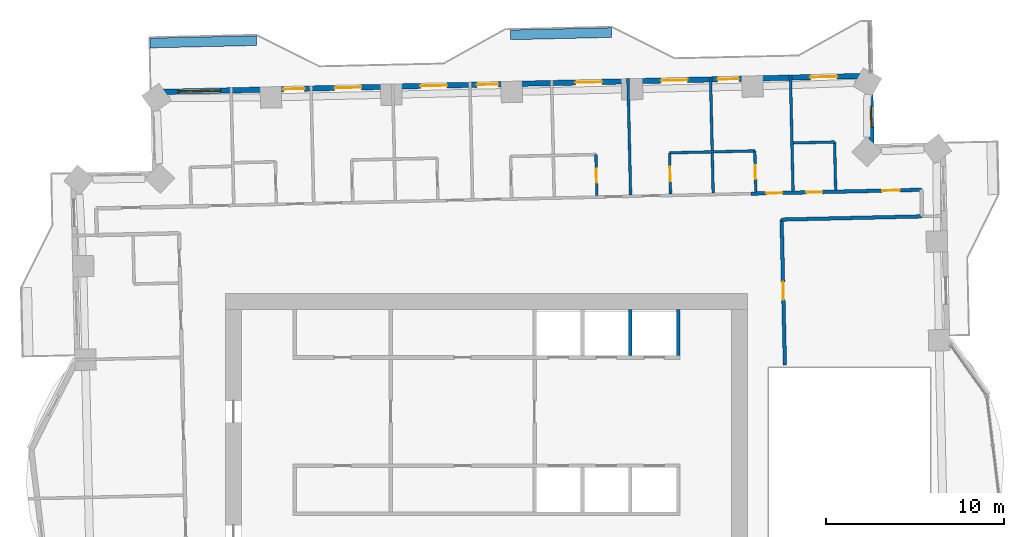
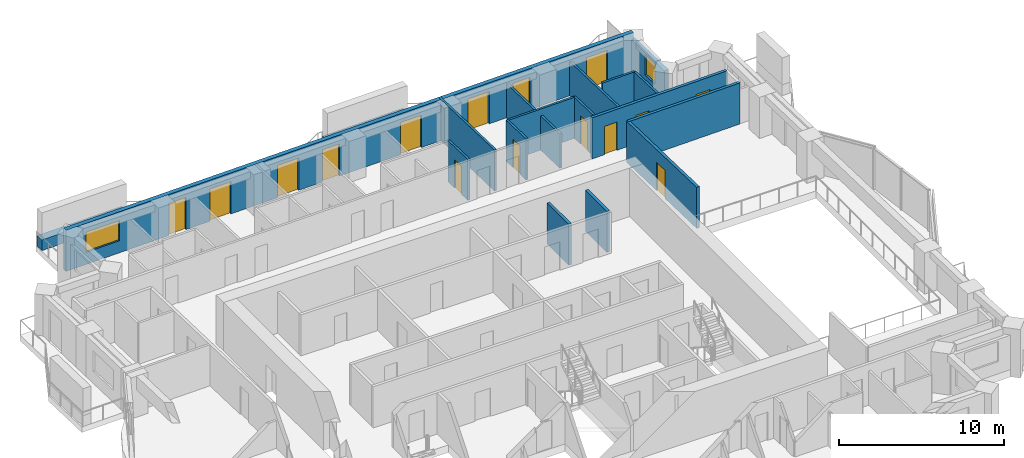
# One storey, part 9 of 14: 18 walls, 15 doors, 2 windows, 17 openings.
"""IFC4 building model written with IfcOpenShell, lengths in metres."""

from ifc_helpers import new_model, si_unit, direction, frame, frame_2d, origin, place, context, subcontext, project, spatial, rectangle, extrude, material, layer, layer_set, type_object, element, fill, save


model = new_model("IFC4")

# Units and contexts
model_context = context("Model", 3, precision=1e-05, world=origin(), true_north=direction((0.0, 1.0)))
body_context = subcontext(model_context, "Body", "Model", "MODEL_VIEW")
ifc_project = project(units=[si_unit("LENGTHUNIT", "METRE"), si_unit("AREAUNIT", "SQUARE_METRE"), si_unit("VOLUMEUNIT", "CUBIC_METRE"), si_unit("PLANEANGLEUNIT", "RADIAN"), si_unit("MASSUNIT", "GRAM", prefix="KILO")], contexts=[model_context])

# Site, building, storey
site_placement = place(None, origin())
site = spatial("IfcSite", under=ifc_project, at=site_placement, CompositionType="ELEMENT")
building_placement = place(site_placement, origin())
building = spatial("IfcBuilding", under=site, at=building_placement, Name="Mangrove Gate Tower", CompositionType="ELEMENT")
storey_placement = place(building_placement, frame((0.0, 0.0, 182.5)))
storey = spatial("IfcBuildingStorey", under=building, at=storey_placement, Name="L46", CompositionType="ELEMENT", Elevation=182.5)

# Walls
ifc_material_1 = material(Name="Concrete C60/75", Category="concrete")
ifc_layer_1 = layer(ifc_material_1, 0.199951171875)
ifc_layer_set_1 = layer_set([ifc_layer_1], Name="Core shaft wall 200 C60/75")
wall_type_1 = type_object("IfcWallType", Name="Core shaft wall 200 C60/75", PredefinedType="SHEAR", material=ifc_layer_set_1)
for number, where, z_axis, x_axis, name in (
    (1, (8.10009765625, 8.199951171875, 0.0), (0.0, 0.0, 1.0), (0.0, 1.0, 0.0), "WALL-L46-CORE-29"),
    (2, (10.800048828125, 8.199951171875, 0.0), (0.0, 0.0, 1.0), (0.0, 1.0, 0.0), "WALL-L46-CORE-30"),
):
    element("IfcWall", number, at=place(storey_placement, frame(where, z_axis=z_axis, x_axis=x_axis)), inside=storey, type_object=wall_type_1, Name=name, PredefinedType="SHEAR", context=body_context, shape_type="SweptSolid", body=[
        extrude(rectangle(XDim=2.60009765625, YDim=0.199951171875, at=frame_2d((1.300048828125, 0.0))), origin(), (0.0, 0.0, 1.0), 3.050048828125),
    ])

# Wall, opening, door
ifc_material_2 = material(Name="Gypsum board on steel stud, EI 60", Category="steel")
ifc_layer_2 = layer(ifc_material_2, 0.199951171875)
ifc_layer_set_2 = layer_set([ifc_layer_2], Name="Corridor wall EI 60")
wall_type_2 = type_object("IfcWallType", Name="Corridor wall EI 60", PredefinedType="PARTITIONING", material=ifc_layer_set_2)
wall_1_placement = place(storey_placement, frame((16.797119140625, 7.674072265625, 0.0), z_axis=(0.0, 0.0, 1.0), x_axis=(-0.022698399288, 0.999742358145, 0.0)))
wall_1 = element("IfcWall", 3, at=wall_1_placement, inside=storey, type_object=wall_type_2, Name="WALL-L46-038", PredefinedType="PARTITIONING", context=body_context, shape_type="SweptSolid", body=[
    extrude(rectangle(XDim=8.196044921875, YDim=0.199951171875, at=frame_2d((4.09814453125, 0.0))), origin(), (0.0, 0.0, 1.0), 3.050048828125),
])
opening_1_placement = place(wall_1_placement, frame((3.68310546875, 0.0, 0.0)))
opening_1 = element("IfcOpeningElement", 4, at=opening_1_placement, cuts=wall_1, Name="Opening AD", PredefinedType="OPENING", context=body_context, shape_type="SweptSolid", body=[
    extrude(rectangle(XDim=1.0, YDim=2.10009765625, at=frame_2d((0.5, 1.050048828125))), frame((0.0, 0.10986328125, 0.0), z_axis=(0.0, -1.0, 0.0), x_axis=(1.0, 0.0, 0.0)), (0.0, 0.0, 1.0), 0.219970703125),
])
ifc_material_3 = material(Name="Timber door leaf", Category="wood")
door_type_1 = type_object("IfcDoorType", Name="Amenity door 1000", OperationType="SINGLE_SWING_LEFT", PredefinedType="DOOR", material=ifc_material_3)
door_1_placement = place(opening_1_placement, origin())
door_1 = element("IfcDoor", 5, at=door_1_placement, inside=storey, type_object=door_type_1, Name="DOOR-L46-GAM-c3a", OperationType="SINGLE_SWING_RIGHT", OverallHeight=2.10009765625, OverallWidth=1.0, PredefinedType="DOOR", context=body_context, shape_type="SweptSolid", body=[
    extrude(rectangle(XDim=1.0, YDim=2.10009765625, at=frame_2d((0.5, 1.050048828125))), frame((0.0, 0.02490234375, 0.0), z_axis=(0.0, -1.0, 0.0), x_axis=(1.0, 0.0, 0.0)), (0.0, 0.0, 1.0), 0.050048828125),
])
fill(opening_1, door_1)

# Wall
wall_2_placement = place(storey_placement, frame((16.612060546875, 15.864013671875, 0.0), z_axis=(0.0, 0.0, 1.0), x_axis=(0.999741181744, 0.022750154412, 0.0)))
element("IfcWall", 6, at=wall_2_placement, inside=storey, type_object=wall_type_2, Name="WALL-L46-044", PredefinedType="PARTITIONING", context=body_context, shape_type="SweptSolid", body=[
    extrude(rectangle(XDim=7.908935546875, YDim=0.199951171875, at=frame_2d((3.95458984375, 0.0))), origin(), (0.0, 0.0, 1.0), 3.050048828125),
])

# Wall, openings, doors
wall_3_placement = place(storey_placement, frame((14.8798828125, 17.324951171875, 0.0), z_axis=(0.0, 0.0, 1.0), x_axis=(0.999742504166, 0.022691966963, 0.0)))
wall_3 = element("IfcWall", 7, at=wall_3_placement, inside=storey, type_object=wall_type_2, Name="WALL-L46-050", PredefinedType="PARTITIONING", context=body_context, shape_type="SweptSolid", body=[
    extrude(rectangle(XDim=9.607666015625, YDim=0.199951171875, at=frame_2d((4.8037109375, 0.0))), origin(), (0.0, 0.0, 1.0), 3.050048828125),
])
opening_2_placement = place(wall_3_placement, frame((7.39306640625, 0.0, 0.0)))
opening_2 = element("IfcOpeningElement", 8, at=opening_2_placement, cuts=wall_3, Name="Opening AD", PredefinedType="OPENING", context=body_context, shape_type="SweptSolid", body=[
    extrude(rectangle(XDim=1.0, YDim=2.10009765625, at=frame_2d((0.5, 1.050048828125))), frame((0.0, 0.10986328125, 0.0), z_axis=(0.0, -1.0, 0.0), x_axis=(1.0, 0.0, 0.0)), (0.0, 0.0, 1.0), 0.219970703125),
])
opening_3_placement = place(wall_3_placement, frame((3.1279296875, 0.0, 0.0)))
opening_3 = element("IfcOpeningElement", 9, at=opening_3_placement, cuts=wall_3, Name="Opening SD", PredefinedType="OPENING", context=body_context, shape_type="SweptSolid", body=[
    extrude(rectangle(XDim=0.89990234375, YDim=2.10009765625, at=frame_2d((0.449951171875, 1.050048828125))), frame((0.0, 0.10986328125, 0.0), z_axis=(0.0, -1.0, 0.0), x_axis=(1.0, 0.0, 0.0)), (0.0, 0.0, 1.0), 0.219970703125),
])
opening_4_placement = place(wall_3_placement, frame((0.8779296875, 0.0, 0.0)))
opening_4 = element("IfcOpeningElement", 10, at=opening_4_placement, cuts=wall_3, Name="Opening BD", PredefinedType="OPENING", context=body_context, shape_type="SweptSolid", body=[
    extrude(rectangle(XDim=0.89990234375, YDim=2.10009765625, at=frame_2d((0.449951171875, 1.050048828125))), frame((0.0, 0.10986328125, 0.0), z_axis=(0.0, -1.0, 0.0), x_axis=(1.0, 0.0, 0.0)), (0.0, 0.0, 1.0), 0.219970703125),
])
door_2_placement = place(opening_2_placement, origin())
door_2 = element("IfcDoor", 11, at=door_2_placement, inside=storey, type_object=door_type_1, Name="DOOR-L46-GAM-c3b", OperationType="SINGLE_SWING_LEFT", OverallHeight=2.10009765625, OverallWidth=1.0, PredefinedType="DOOR", context=body_context, shape_type="SweptSolid", body=[
    extrude(rectangle(XDim=1.0, YDim=2.10009765625, at=frame_2d((0.5, 1.050048828125))), frame((0.0, 0.02490234375, 0.0), z_axis=(0.0, -1.0, 0.0), x_axis=(1.0, 0.0, 0.0)), (0.0, 0.0, 1.0), 0.050048828125),
])
fill(opening_2, door_2)
ifc_material_4 = material(Name="Timber door leaf", Category="wood")
door_type_2 = type_object("IfcDoorType", Name="Bedroom door 900", OperationType="SINGLE_SWING_LEFT", PredefinedType="DOOR", material=ifc_material_4)
door_3_placement = place(opening_4_placement, origin())
door_3 = element("IfcDoor", 12, at=door_3_placement, inside=storey, type_object=door_type_2, Name="DOOR-L46-BED-c308", OperationType="SINGLE_SWING_RIGHT", OverallHeight=2.10009765625, OverallWidth=0.89990234375, PredefinedType="DOOR", context=body_context, shape_type="SweptSolid", body=[
    extrude(rectangle(XDim=0.89990234375, YDim=2.10009765625, at=frame_2d((0.449951171875, 1.050048828125))), frame((0.0, 0.02490234375, 0.0), z_axis=(0.0, -1.0, 0.0), x_axis=(1.0, 0.0, 0.0)), (0.0, 0.0, 1.0), 0.050048828125),
])
fill(opening_4, door_3)
ifc_material_5 = material(Name="Timber door leaf", Category="wood")
door_type_3 = type_object("IfcDoorType", Name="Service room door 900", OperationType="SINGLE_SWING_LEFT", PredefinedType="DOOR", material=ifc_material_5)
door_4_placement = place(opening_3_placement, origin())
door_4 = element("IfcDoor", 13, at=door_4_placement, inside=storey, type_object=door_type_3, Name="DOOR-L46-WC-c3a", OperationType="SINGLE_SWING_LEFT", OverallHeight=2.10009765625, OverallWidth=0.89990234375, PredefinedType="DOOR", context=body_context, shape_type="SweptSolid", body=[
    extrude(rectangle(XDim=0.89990234375, YDim=2.10009765625, at=frame_2d((0.449951171875, 1.050048828125))), frame((0.0, 0.02490234375, 0.0), z_axis=(0.0, -1.0, 0.0), x_axis=(1.0, 0.0, 0.0)), (0.0, 0.0, 1.0), 0.050048828125),
])
fill(opening_3, door_4)

# Wall, opening, window
ifc_material_6 = material(Name="Limestone", Category="masonry")
ifc_layer_3 = layer(ifc_material_6, 0.0400390625, Name="Limestone cladding")
ifc_material_7 = material(Name="Ventilated air gap")
ifc_layer_4 = layer(ifc_material_7, 0.0400390625, Name="Ventilated cavity")
ifc_material_8 = material(Name="Mineral wool insulation")
ifc_layer_5 = layer(ifc_material_8, 0.06005859375, Name="Insulation")
ifc_material_9 = material(Name="Breather membrane")
ifc_layer_6 = layer(ifc_material_9, 0.001953125, Name="Breather membrane")
ifc_material_10 = material(Name="Concrete C20/25 blockwork", Category="masonry")
ifc_layer_7 = layer(ifc_material_10, 0.14990234375, Name="Blockwork backing wall")
ifc_material_11 = material(Name="Gypsum plaster")
ifc_layer_8 = layer(ifc_material_11, 0.008056640625, Name="Internal plaster")
ifc_layer_set_3 = layer_set([ifc_layer_3, ifc_layer_4, ifc_layer_5, ifc_layer_6, ifc_layer_7, ifc_layer_8], Name="External wall 300 limestone cladding")
wall_type_3 = type_object("IfcWallType", Name="External wall 300 limestone cladding", PredefinedType="SOLIDWALL", material=ifc_layer_set_3)
wall_4_placement = place(storey_placement, frame((21.679931640625, 19.9599609375, 0.0), z_axis=(0.0, 0.0, 1.0), x_axis=(-0.022704768219, 0.999742213523, 0.0)))
wall_4 = element("IfcWall", 14, at=wall_4_placement, inside=storey, type_object=wall_type_3, Name="WALL-L46-E4", PredefinedType="SOLIDWALL", context=body_context, shape_type="SweptSolid", body=[
    extrude(rectangle(XDim=4.0, YDim=0.300048828125, at=frame_2d((2.0, 0.0))), origin(), (0.0, 0.0, 1.0), 2.550048828125),
])
opening_5_placement = place(wall_4_placement, frame((1.093017578125, 0.0, 0.89990234375)))
opening_5 = element("IfcOpeningElement", 15, at=opening_5_placement, cuts=wall_4, Name="Opening W1", PredefinedType="OPENING", context=body_context, shape_type="SweptSolid", body=[
    extrude(rectangle(XDim=1.199951171875, YDim=1.5, at=frame_2d((0.60009765625, 0.75))), frame((0.0, 0.159912109375, 0.0), z_axis=(0.0, -1.0, 0.0), x_axis=(1.0, 0.0, 0.0)), (0.0, 0.0, 1.0), 0.320068359375),
])
ifc_material_12 = material(Name="Aluminium frame with double-glazed low-e glass", Category="aluminium")
window_type_1 = type_object("IfcWindowType", Name="Side lite 1200x1500", PartitioningType="SINGLE_PANEL", PredefinedType="WINDOW", material=ifc_material_12)
window_1_placement = place(opening_5_placement, origin())
window_1 = element("IfcWindow", 16, at=window_1_placement, inside=storey, type_object=window_type_1, Name="WIN-L46-E4-1", OverallHeight=1.5, OverallWidth=1.199951171875, PartitioningType="SINGLE_PANEL", PredefinedType="WINDOW", context=body_context, shape_type="SweptSolid", body=[
    extrude(rectangle(XDim=1.199951171875, YDim=1.5, at=frame_2d((0.60009765625, 0.75))), frame((0.0, 0.030029296875, 0.0), z_axis=(0.0, -1.0, 0.0), x_axis=(1.0, 0.0, 0.0)), (0.0, 0.0, 1.0), 0.06005859375),
])
fill(opening_5, window_1)

# Wall, openings, doors, window
wall_5_placement = place(storey_placement, frame((21.589111328125, 23.958984375, 0.0), z_axis=(0.0, 0.0, 1.0), x_axis=(-0.999742671382, -0.022684598702, 0.0)))
wall_5 = element("IfcWall", 17, at=wall_5_placement, inside=storey, type_object=wall_type_3, Name="WALL-L46-N5", PredefinedType="SOLIDWALL", context=body_context, shape_type="SweptSolid", body=[
    extrude(rectangle(XDim=40.380615234375, YDim=0.300048828125, at=frame_2d((20.1904296875, 0.0))), origin(), (0.0, 0.0, 1.0), 3.050048828125),
])
opening_6_placement = place(wall_5_placement, frame((1.85302734375, 0.0, 0.0)))
opening_6 = element("IfcOpeningElement", 18, at=opening_6_placement, cuts=wall_5, Name="Opening BD1", PredefinedType="OPENING", context=body_context, shape_type="SweptSolid", body=[
    extrude(rectangle(XDim=1.5, YDim=2.39990234375, at=frame_2d((0.75, 1.199951171875))), frame((0.0, 0.159912109375, 0.0), z_axis=(0.0, -1.0, 0.0), x_axis=(1.0, 0.0, 0.0)), (0.0, 0.0, 1.0), 0.320068359375),
])
opening_7_placement = place(wall_5_placement, frame((7.3798828125, 0.0, 0.0)))
opening_7 = element("IfcOpeningElement", 19, at=opening_7_placement, cuts=wall_5, Name="Opening BD2", PredefinedType="OPENING", context=body_context, shape_type="SweptSolid", body=[
    extrude(rectangle(XDim=1.199951171875, YDim=2.39990234375, at=frame_2d((0.60009765625, 1.199951171875))), frame((0.0, 0.159912109375, 0.0), z_axis=(0.0, -1.0, 0.0), x_axis=(1.0, 0.0, 0.0)), (0.0, 0.0, 1.0), 0.320068359375),
])
opening_8_placement = place(wall_5_placement, frame((10.27001953125, 0.0, 0.0)))
opening_8 = element("IfcOpeningElement", 20, at=opening_8_placement, cuts=wall_5, Name="Opening BD1", PredefinedType="OPENING", context=body_context, shape_type="SweptSolid", body=[
    extrude(rectangle(XDim=1.5, YDim=2.39990234375, at=frame_2d((0.75, 1.199951171875))), frame((0.0, 0.159912109375, 0.0), z_axis=(0.0, -1.0, 0.0), x_axis=(1.0, 0.0, 0.0)), (0.0, 0.0, 1.0), 0.320068359375),
])
opening_9_placement = place(wall_5_placement, frame((15.094970703125, 0.0, 0.0)))
opening_9 = element("IfcOpeningElement", 21, at=opening_9_placement, cuts=wall_5, Name="Opening BD1", PredefinedType="OPENING", context=body_context, shape_type="SweptSolid", body=[
    extrude(rectangle(XDim=1.5, YDim=2.39990234375, at=frame_2d((0.75, 1.199951171875))), frame((0.0, 0.159912109375, 0.0), z_axis=(0.0, -1.0, 0.0), x_axis=(1.0, 0.0, 0.0)), (0.0, 0.0, 1.0), 0.320068359375),
])
opening_10_placement = place(wall_5_placement, frame((20.93505859375, 0.0, 0.0)))
opening_10 = element("IfcOpeningElement", 22, at=opening_10_placement, cuts=wall_5, Name="Opening BD2", PredefinedType="OPENING", context=body_context, shape_type="SweptSolid", body=[
    extrude(rectangle(XDim=1.199951171875, YDim=2.39990234375, at=frame_2d((0.60009765625, 1.199951171875))), frame((0.0, 0.159912109375, 0.0), z_axis=(0.0, -1.0, 0.0), x_axis=(1.0, 0.0, 0.0)), (0.0, 0.0, 1.0), 0.320068359375),
])
opening_11_placement = place(wall_5_placement, frame((23.824951171875, 0.0, 0.0)))
opening_11 = element("IfcOpeningElement", 23, at=opening_11_placement, cuts=wall_5, Name="Opening BD1", PredefinedType="OPENING", context=body_context, shape_type="SweptSolid", body=[
    extrude(rectangle(XDim=1.5, YDim=2.39990234375, at=frame_2d((0.75, 1.199951171875))), frame((0.0, 0.159912109375, 0.0), z_axis=(0.0, -1.0, 0.0), x_axis=(1.0, 0.0, 0.0)), (0.0, 0.0, 1.0), 0.320068359375),
])
opening_12_placement = place(wall_5_placement, frame((28.64990234375, 0.0, 0.0)))
opening_12 = element("IfcOpeningElement", 24, at=opening_12_placement, cuts=wall_5, Name="Opening BD1", PredefinedType="OPENING", context=body_context, shape_type="SweptSolid", body=[
    extrude(rectangle(XDim=1.5, YDim=2.39990234375, at=frame_2d((0.75, 1.199951171875))), frame((0.0, 0.159912109375, 0.0), z_axis=(0.0, -1.0, 0.0), x_axis=(1.0, 0.0, 0.0)), (0.0, 0.0, 1.0), 0.320068359375),
])
opening_13_placement = place(wall_5_placement, frame((31.840087890625, 0.0, 0.0)))
opening_13 = element("IfcOpeningElement", 25, at=opening_13_placement, cuts=wall_5, Name="Opening BD2", PredefinedType="OPENING", context=body_context, shape_type="SweptSolid", body=[
    extrude(rectangle(XDim=1.199951171875, YDim=2.39990234375, at=frame_2d((0.60009765625, 1.199951171875))), frame((0.0, 0.159912109375, 0.0), z_axis=(0.0, -1.0, 0.0), x_axis=(1.0, 0.0, 0.0)), (0.0, 0.0, 1.0), 0.320068359375),
])
opening_14_placement = place(wall_5_placement, frame((36.570068359375, 0.0, 0.89990234375)))
opening_14 = element("IfcOpeningElement", 26, at=opening_14_placement, cuts=wall_5, Name="Opening W2", PredefinedType="OPENING", context=body_context, shape_type="SweptSolid", body=[
    extrude(rectangle(XDim=2.39990234375, YDim=1.5, at=frame_2d((1.199951171875, 0.75))), frame((0.0, 0.159912109375, 0.0), z_axis=(0.0, -1.0, 0.0), x_axis=(1.0, 0.0, 0.0)), (0.0, 0.0, 1.0), 0.320068359375),
])
ifc_material_13 = material(Name="Aluminium frame with laminated clear glass", Category="aluminium")
door_type_4 = type_object("IfcDoorType", Name="Balcony sliding door 1200x2400", OperationType="SLIDING_TO_LEFT", PredefinedType="DOOR", material=ifc_material_13)
door_5_placement = place(opening_7_placement, origin())
door_5 = element("IfcDoor", 27, at=door_5_placement, inside=storey, type_object=door_type_4, Name="DOOR-L46-N5-2", OperationType="SLIDING_TO_LEFT", OverallHeight=2.39990234375, OverallWidth=1.199951171875, PredefinedType="DOOR", context=body_context, shape_type="SweptSolid", body=[
    extrude(rectangle(XDim=1.199951171875, YDim=2.39990234375, at=frame_2d((0.60009765625, 1.199951171875))), frame((0.0, 0.02490234375, 0.0), z_axis=(0.0, -1.0, 0.0), x_axis=(1.0, 0.0, 0.0)), (0.0, 0.0, 1.0), 0.050048828125),
])
fill(opening_7, door_5)
door_6_placement = place(opening_10_placement, origin())
door_6 = element("IfcDoor", 28, at=door_6_placement, inside=storey, type_object=door_type_4, Name="DOOR-L46-N5-5", OperationType="SLIDING_TO_LEFT", OverallHeight=2.39990234375, OverallWidth=1.199951171875, PredefinedType="DOOR", context=body_context, shape_type="SweptSolid", body=[
    extrude(rectangle(XDim=1.199951171875, YDim=2.39990234375, at=frame_2d((0.60009765625, 1.199951171875))), frame((0.0, 0.02490234375, 0.0), z_axis=(0.0, -1.0, 0.0), x_axis=(1.0, 0.0, 0.0)), (0.0, 0.0, 1.0), 0.050048828125),
])
fill(opening_10, door_6)
door_7_placement = place(opening_13_placement, origin())
door_7 = element("IfcDoor", 29, at=door_7_placement, inside=storey, type_object=door_type_4, Name="DOOR-L46-N5-8", OperationType="SLIDING_TO_LEFT", OverallHeight=2.39990234375, OverallWidth=1.199951171875, PredefinedType="DOOR", context=body_context, shape_type="SweptSolid", body=[
    extrude(rectangle(XDim=1.199951171875, YDim=2.39990234375, at=frame_2d((0.60009765625, 1.199951171875))), frame((0.0, 0.02490234375, 0.0), z_axis=(0.0, -1.0, 0.0), x_axis=(1.0, 0.0, 0.0)), (0.0, 0.0, 1.0), 0.050048828125),
])
fill(opening_13, door_7)
ifc_material_14 = material(Name="Aluminium frame with laminated clear glass", Category="aluminium")
door_type_5 = type_object("IfcDoorType", Name="Balcony sliding door 1500x2400", OperationType="SLIDING_TO_LEFT", PredefinedType="DOOR", material=ifc_material_14)
door_8_placement = place(opening_6_placement, origin())
door_8 = element("IfcDoor", 30, at=door_8_placement, inside=storey, type_object=door_type_5, Name="DOOR-L46-N5-1", OperationType="SLIDING_TO_LEFT", OverallHeight=2.39990234375, OverallWidth=1.5, PredefinedType="DOOR", context=body_context, shape_type="SweptSolid", body=[
    extrude(rectangle(XDim=1.5, YDim=2.39990234375, at=frame_2d((0.75, 1.199951171875))), frame((0.0, 0.02490234375, 0.0), z_axis=(0.0, -1.0, 0.0), x_axis=(1.0, 0.0, 0.0)), (0.0, 0.0, 1.0), 0.050048828125),
])
fill(opening_6, door_8)
door_9_placement = place(opening_8_placement, origin())
door_9 = element("IfcDoor", 31, at=door_9_placement, inside=storey, type_object=door_type_5, Name="DOOR-L46-N5-3", OperationType="SLIDING_TO_LEFT", OverallHeight=2.39990234375, OverallWidth=1.5, PredefinedType="DOOR", context=body_context, shape_type="SweptSolid", body=[
    extrude(rectangle(XDim=1.5, YDim=2.39990234375, at=frame_2d((0.75, 1.199951171875))), frame((0.0, 0.02490234375, 0.0), z_axis=(0.0, -1.0, 0.0), x_axis=(1.0, 0.0, 0.0)), (0.0, 0.0, 1.0), 0.050048828125),
])
fill(opening_8, door_9)
door_10_placement = place(opening_9_placement, origin())
door_10 = element("IfcDoor", 32, at=door_10_placement, inside=storey, type_object=door_type_5, Name="DOOR-L46-N5-4", OperationType="SLIDING_TO_LEFT", OverallHeight=2.39990234375, OverallWidth=1.5, PredefinedType="DOOR", context=body_context, shape_type="SweptSolid", body=[
    extrude(rectangle(XDim=1.5, YDim=2.39990234375, at=frame_2d((0.75, 1.199951171875))), frame((0.0, 0.02490234375, 0.0), z_axis=(0.0, -1.0, 0.0), x_axis=(1.0, 0.0, 0.0)), (0.0, 0.0, 1.0), 0.050048828125),
])
fill(opening_9, door_10)
door_11_placement = place(opening_11_placement, origin())
door_11 = element("IfcDoor", 33, at=door_11_placement, inside=storey, type_object=door_type_5, Name="DOOR-L46-N5-6", OperationType="SLIDING_TO_LEFT", OverallHeight=2.39990234375, OverallWidth=1.5, PredefinedType="DOOR", context=body_context, shape_type="SweptSolid", body=[
    extrude(rectangle(XDim=1.5, YDim=2.39990234375, at=frame_2d((0.75, 1.199951171875))), frame((0.0, 0.02490234375, 0.0), z_axis=(0.0, -1.0, 0.0), x_axis=(1.0, 0.0, 0.0)), (0.0, 0.0, 1.0), 0.050048828125),
])
fill(opening_11, door_11)
door_12_placement = place(opening_12_placement, origin())
door_12 = element("IfcDoor", 34, at=door_12_placement, inside=storey, type_object=door_type_5, Name="DOOR-L46-N5-7", OperationType="SLIDING_TO_LEFT", OverallHeight=2.39990234375, OverallWidth=1.5, PredefinedType="DOOR", context=body_context, shape_type="SweptSolid", body=[
    extrude(rectangle(XDim=1.5, YDim=2.39990234375, at=frame_2d((0.75, 1.199951171875))), frame((0.0, 0.02490234375, 0.0), z_axis=(0.0, -1.0, 0.0), x_axis=(1.0, 0.0, 0.0)), (0.0, 0.0, 1.0), 0.050048828125),
])
fill(opening_12, door_12)
ifc_material_15 = material(Name="Aluminium frame with double-glazed low-e glass", Category="aluminium")
window_type_2 = type_object("IfcWindowType", Name="Corner room window 2400x1500", PartitioningType="DOUBLE_PANEL_VERTICAL", PredefinedType="WINDOW", material=ifc_material_15)
window_2_placement = place(opening_14_placement, origin())
window_2 = element("IfcWindow", 35, at=window_2_placement, inside=storey, type_object=window_type_2, Name="WIN-L46-N5-9", OverallHeight=1.5, OverallWidth=2.39990234375, PartitioningType="DOUBLE_PANEL_VERTICAL", PredefinedType="WINDOW", context=body_context, shape_type="SweptSolid", body=[
    extrude(rectangle(XDim=2.39990234375, YDim=1.5, at=frame_2d((1.199951171875, 0.75))), frame((0.0, 0.030029296875, 0.0), z_axis=(0.0, -1.0, 0.0), x_axis=(1.0, 0.0, 0.0)), (0.0, 0.0, 1.0), 0.06005859375),
])
fill(opening_14, window_2)

# Wall, opening, door
ifc_material_16 = material(Name="Gypsum board on steel stud, EI 60", Category="steel")
ifc_layer_9 = layer(ifc_material_16, 0.14990234375)
ifc_layer_set_4 = layer_set([ifc_layer_9], Name="Party wall 150 EI 60")
wall_type_4 = type_object("IfcWallType", Name="Party wall 150 EI 60", PredefinedType="PARTITIONING", material=ifc_layer_set_4)
wall_6_placement = place(storey_placement, frame((6.2080078125, 17.2080078125, 0.0), z_axis=(0.0, 0.0, 1.0), x_axis=(-0.02279059109, 0.999740260747, 0.0)))
wall_6 = element("IfcWall", 36, at=wall_6_placement, inside=storey, type_object=wall_type_4, Name="WALL-L46-061", PredefinedType="PARTITIONING", context=body_context, shape_type="SweptSolid", body=[
    extrude(rectangle(XDim=2.324462890625, YDim=0.14990234375, at=frame_2d((1.162109375, 0.0))), origin(), (0.0, 0.0, 1.0), 3.050048828125),
])
opening_15_placement = place(wall_6_placement, frame((0.72509765625, 0.0, 0.0)))
opening_15 = element("IfcOpeningElement", 37, at=opening_15_placement, cuts=wall_6, Name="Opening ED", PredefinedType="OPENING", context=body_context, shape_type="SweptSolid", body=[
    extrude(rectangle(XDim=0.800048828125, YDim=2.10009765625, at=frame_2d((0.39990234375, 1.050048828125))), frame((0.0, 0.0849609375, 0.0), z_axis=(0.0, -1.0, 0.0), x_axis=(1.0, 0.0, 0.0)), (0.0, 0.0, 1.0), 0.169921875),
])
ifc_material_17 = material(Name="Timber door leaf", Category="wood")
door_type_6 = type_object("IfcDoorType", Name="En-suite door 800", OperationType="SINGLE_SWING_LEFT", PredefinedType="DOOR", material=ifc_material_17)
door_13_placement = place(opening_15_placement, origin())
door_13 = element("IfcDoor", 38, at=door_13_placement, inside=storey, type_object=door_type_6, Name="DOOR-L46-ENS-c410", OperationType="SINGLE_SWING_RIGHT", OverallHeight=2.10009765625, OverallWidth=0.800048828125, PredefinedType="DOOR", context=body_context, shape_type="SweptSolid", body=[
    extrude(rectangle(XDim=0.800048828125, YDim=2.10009765625, at=frame_2d((0.39990234375, 1.050048828125))), frame((0.0, 0.02490234375, 0.0), z_axis=(0.0, -1.0, 0.0), x_axis=(1.0, 0.0, 0.0)), (0.0, 0.0, 1.0), 0.050048828125),
])
fill(opening_15, door_13)

# Wall
wall_7_placement = place(storey_placement, frame((8.10791015625, 17.2509765625, 0.0), z_axis=(0.0, 0.0, 1.0), x_axis=(-0.022734104141, 0.999741546855, 0.0)))
element("IfcWall", 39, at=wall_7_placement, inside=storey, type_object=wall_type_4, Name="WALL-L46-062", PredefinedType="PARTITIONING", context=body_context, shape_type="SweptSolid", body=[
    extrude(rectangle(XDim=6.55078125, YDim=0.14990234375, at=frame_2d((3.275390625, 0.0))), origin(), (0.0, 0.0, 1.0), 3.050048828125),
])

# Wall, opening, door
wall_8_placement = place(storey_placement, frame((10.35693359375, 17.302001953125, 0.0), z_axis=(0.0, 0.0, 1.0), x_axis=(-0.02279059109, 0.999740260747, 0.0)))
wall_8 = element("IfcWall", 40, at=wall_8_placement, inside=storey, type_object=wall_type_4, Name="WALL-L46-063", PredefinedType="PARTITIONING", context=body_context, shape_type="SweptSolid", body=[
    extrude(rectangle(XDim=2.324462890625, YDim=0.14990234375, at=frame_2d((1.162109375, 0.0))), origin(), (0.0, 0.0, 1.0), 3.050048828125),
])
opening_16_placement = place(wall_8_placement, frame((0.72509765625, 0.0, 0.0)))
opening_16 = element("IfcOpeningElement", 41, at=opening_16_placement, cuts=wall_8, Name="Opening ED", PredefinedType="OPENING", context=body_context, shape_type="SweptSolid", body=[
    extrude(rectangle(XDim=0.800048828125, YDim=2.10009765625, at=frame_2d((0.39990234375, 1.050048828125))), frame((0.0, 0.0849609375, 0.0), z_axis=(0.0, -1.0, 0.0), x_axis=(1.0, 0.0, 0.0)), (0.0, 0.0, 1.0), 0.169921875),
])
door_14_placement = place(opening_16_placement, origin())
door_14 = element("IfcDoor", 42, at=door_14_placement, inside=storey, type_object=door_type_6, Name="DOOR-L46-ENS-c309", OperationType="SINGLE_SWING_LEFT", OverallHeight=2.10009765625, OverallWidth=0.800048828125, PredefinedType="DOOR", context=body_context, shape_type="SweptSolid", body=[
    extrude(rectangle(XDim=0.800048828125, YDim=2.10009765625, at=frame_2d((0.39990234375, 1.050048828125))), frame((0.0, 0.02490234375, 0.0), z_axis=(0.0, -1.0, 0.0), x_axis=(1.0, 0.0, 0.0)), (0.0, 0.0, 1.0), 0.050048828125),
])
fill(opening_16, door_14)

# Wall
wall_9_placement = place(storey_placement, frame((12.757080078125, 17.35595703125, 0.0), z_axis=(0.0, 0.0, 1.0), x_axis=(-0.022771353855, 0.999740699103, 0.0)))
element("IfcWall", 43, at=wall_9_placement, inside=storey, type_object=wall_type_4, Name="WALL-L46-064", PredefinedType="PARTITIONING", context=body_context, shape_type="SweptSolid", body=[
    extrude(rectangle(XDim=6.55078125, YDim=0.14990234375, at=frame_2d((3.275390625, 0.0))), origin(), (0.0, 0.0, 1.0), 2.550048828125),
])

# Wall, opening, door
wall_10_placement = place(storey_placement, frame((15.155029296875, 17.43603515625, 0.0), z_axis=(0.0, 0.0, 1.0), x_axis=(-0.022612884682, 0.999744296031, 0.0)))
wall_10 = element("IfcWall", 44, at=wall_10_placement, inside=storey, type_object=wall_type_4, Name="WALL-L46-065", PredefinedType="PARTITIONING", context=body_context, shape_type="SweptSolid", body=[
    extrude(rectangle(XDim=2.299560546875, YDim=0.14990234375, at=frame_2d((1.14990234375, 0.0))), origin(), (0.0, 0.0, 1.0), 3.050048828125),
])
opening_17_placement = place(wall_10_placement, frame((0.699951171875, 0.0, 0.0)))
opening_17 = element("IfcOpeningElement", 45, at=opening_17_placement, cuts=wall_10, Name="Opening ED", PredefinedType="OPENING", context=body_context, shape_type="SweptSolid", body=[
    extrude(rectangle(XDim=0.800048828125, YDim=2.10009765625, at=frame_2d((0.39990234375, 1.050048828125))), frame((0.0, 0.0849609375, 0.0), z_axis=(0.0, -1.0, 0.0), x_axis=(1.0, 0.0, 0.0)), (0.0, 0.0, 1.0), 0.169921875),
])
door_15_placement = place(opening_17_placement, origin())
door_15 = element("IfcDoor", 46, at=door_15_placement, inside=storey, type_object=door_type_6, Name="DOOR-L46-ENS-c308", OperationType="SINGLE_SWING_RIGHT", OverallHeight=2.10009765625, OverallWidth=0.800048828125, PredefinedType="DOOR", context=body_context, shape_type="SweptSolid", body=[
    extrude(rectangle(XDim=0.800048828125, YDim=2.10009765625, at=frame_2d((0.39990234375, 1.050048828125))), frame((0.0, 0.02490234375, 0.0), z_axis=(0.0, -1.0, 0.0), x_axis=(1.0, 0.0, 0.0)), (0.0, 0.0, 1.0), 0.050048828125),
])
fill(opening_17, door_15)

# Walls
wall_11_placement = place(storey_placement, frame((17.2548828125, 17.48291015625, 0.0), z_axis=(0.0, 0.0, 1.0), x_axis=(-0.022667874761, 0.999743050715, 0.0)))
element("IfcWall", 47, at=wall_11_placement, inside=storey, type_object=wall_type_4, Name="WALL-L46-066", PredefinedType="PARTITIONING", context=body_context, shape_type="SweptSolid", body=[
    extrude(rectangle(XDim=6.52685546875, YDim=0.14990234375, at=frame_2d((3.263427734375, 0.0))), origin(), (0.0, 0.0, 1.0), 2.550048828125),
])
wall_12_placement = place(storey_placement, frame((19.654052734375, 17.5380859375, 0.0), z_axis=(0.0, 0.0, 1.0), x_axis=(-0.02260842146, 0.999744396973, 0.0)))
element("IfcWall", 48, at=wall_12_placement, inside=storey, type_object=wall_type_4, Name="WALL-L46-067", PredefinedType="PARTITIONING", context=body_context, shape_type="SweptSolid", body=[
    extrude(rectangle(XDim=2.69970703125, YDim=0.14990234375, at=frame_2d((1.349853515625, 0.0))), origin(), (0.0, 0.0, 1.0), 3.050048828125),
])
wall_13_placement = place(storey_placement, frame((10.304931640625, 19.6220703125, 0.0), z_axis=(0.0, 0.0, 1.0), x_axis=(0.999742596585, 0.02268789488, 0.0)))
element("IfcWall", 49, at=wall_13_placement, inside=storey, type_object=wall_type_4, Name="WALL-L46-072", PredefinedType="PARTITIONING", context=body_context, shape_type="SweptSolid", body=[
    extrude(rectangle(XDim=4.79931640625, YDim=0.14990234375, at=frame_2d((2.399658203125, 0.0))), origin(), (0.0, 0.0, 1.0), 3.050048828125),
])
wall_14_placement = place(storey_placement, frame((17.26904296875, 20.179931640625, 0.0), z_axis=(0.0, 0.0, 1.0), x_axis=(0.999740260747, 0.02279059109, 0.0)))
element("IfcWall", 50, at=wall_14_placement, inside=storey, type_object=wall_type_4, Name="WALL-L46-073", PredefinedType="PARTITIONING", context=body_context, shape_type="SweptSolid", body=[
    extrude(rectangle(XDim=2.324462890625, YDim=0.14990234375, at=frame_2d((1.162109375, 0.0))), origin(), (0.0, 0.0, 1.0), 3.050048828125),
])
ifc_material_18 = material(Name="Concrete C32/40", Category="concrete")
ifc_layer_10 = layer(ifc_material_18, 0.199951171875, Name="Planter trough wall")
ifc_material_19 = material(Name="Bituminous waterproofing membrane")
ifc_layer_11 = layer(ifc_material_19, 0.0048828125, Name="Waterproofing")
ifc_material_20 = material(Name="Drainage board and gravel")
ifc_layer_12 = layer(ifc_material_20, 0.044921875, Name="Drainage layer")
ifc_material_21 = material(Name="Planting soil")
ifc_layer_13 = layer(ifc_material_21, 0.300048828125, Name="Growing medium")
ifc_layer_set_5 = layer_set([ifc_layer_10, ifc_layer_11, ifc_layer_12, ifc_layer_13], Name="Planter wall 550 C32/40")
wall_type_5 = type_object("IfcWallType", Name="Planter wall 550 C32/40", PredefinedType="USERDEFINED", material=ifc_layer_set_5)
wall_15_placement = place(storey_placement, frame((1.341064453125, 26.264892578125, 0.0), z_axis=(0.0, 0.0, 1.0), x_axis=(0.999739419866, 0.022827447663, 0.0)))
element("IfcWall", 51, at=wall_15_placement, inside=storey, type_object=wall_type_5, Name="PLANTER L46 N0.1", ObjectType="PLANTER", PredefinedType="USERDEFINED", context=body_context, shape_type="SweptSolid", body=[
    extrude(rectangle(XDim=5.700439453125, YDim=0.550048828125, at=frame_2d((2.85009765625, 0.0))), origin(), (0.0, 0.0, 1.0), 0.800048828125),
])
wall_16_placement = place(storey_placement, frame((-18.9541015625, 25.804931640625, 0.0), z_axis=(0.0, 0.0, 1.0), x_axis=(0.999743178102, 0.022662255828, 0.0)))
element("IfcWall", 52, at=wall_16_placement, inside=storey, type_object=wall_type_5, Name="PLANTER L46 N1.1", ObjectType="PLANTER", PredefinedType="USERDEFINED", context=body_context, shape_type="SweptSolid", body=[
    extrude(rectangle(XDim=6.00048828125, YDim=0.550048828125, at=frame_2d((3.000244140625, 0.0))), origin(), (0.0, 0.0, 1.0), 0.800048828125),
])

save(model, "model.ifc")
